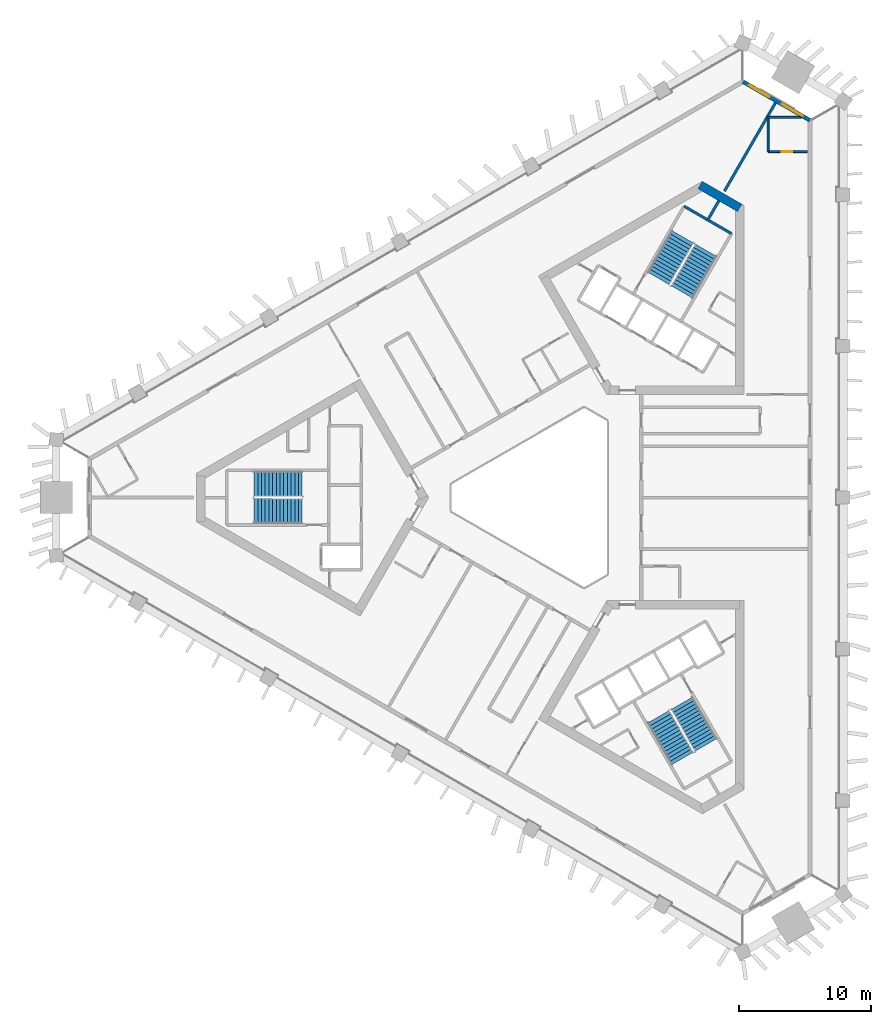
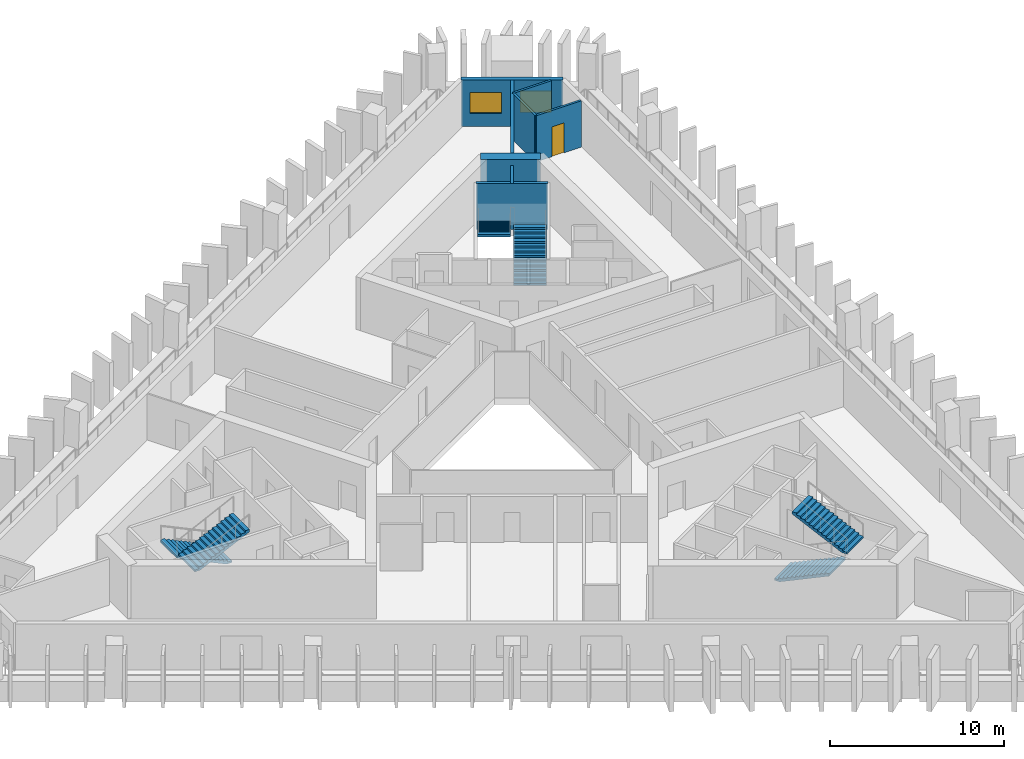
# One storey, part 6 of 10: 8 walls, 6 stair flights, 2 windows, 1 door, 3 openings, 3 elements without a shape of their own.
"""IFC4 building model written with IfcOpenShell, lengths in metres."""

from ifc_helpers import new_model, si_unit, direction, frame, frame_2d, origin, place, context, subcontext, project, spatial, polyline, rectangle, outline, extrude, material, layer, layer_set, type_object, element, fill, aggregate, save


model = new_model("IFC4")

# Units and contexts
model_context = context("Model", 3, precision=1e-05, world=origin(), true_north=direction((0.0, 1.0)))
body_context = subcontext(model_context, "Body", "Model", "MODEL_VIEW")
ifc_project = project(units=[si_unit("LENGTHUNIT", "METRE"), si_unit("AREAUNIT", "SQUARE_METRE"), si_unit("VOLUMEUNIT", "CUBIC_METRE"), si_unit("PLANEANGLEUNIT", "RADIAN"), si_unit("MASSUNIT", "GRAM", prefix="KILO")], contexts=[model_context])

# Site, building, storey
site_placement = place(None, origin())
site = spatial("IfcSite", under=ifc_project, at=site_placement, CompositionType="ELEMENT")
building_placement = place(site_placement, origin())
building = spatial("IfcBuilding", under=site, at=building_placement, Name="Jabali Bay Hotel Tower and Convention Centre", CompositionType="ELEMENT")
storey_placement = place(building_placement, frame((0.0, 0.0, 110.5)))
storey = spatial("IfcBuildingStorey", under=building, at=storey_placement, Name="L26", CompositionType="ELEMENT", Elevation=110.5)

# Walls
ifc_material_1 = material(Name="Concrete C40", Category="concrete")
ifc_layer_1 = layer(ifc_material_1, 0.199951171875)
ifc_layer_set_1 = layer_set([ifc_layer_1], Name="Concrete C40")
wall_type_1 = type_object("IfcWallType", Name="Core partition wall 200", PredefinedType="PARTITIONING", material=ifc_layer_set_1)
wall_1_placement = place(storey_placement, frame((87.090087890625, 100.9404296875, 0.0), z_axis=(0.0, 0.0, 1.0), x_axis=(0.499944938281, 0.866057191349, 0.0)))
element("IfcWall", 1, at=wall_1_placement, inside=storey, type_object=wall_type_1, Name="Core wall 1.5 L26", PredefinedType="PARTITIONING", context=body_context, shape_type="SweptSolid", body=[
    extrude(rectangle(XDim=1.773193359375, YDim=0.199951171875, at=frame_2d((0.88671875, 0.0))), origin(), (0.0, 0.0, 1.0), 3.25),
])
ifc_layer_2 = layer(ifc_material_1, 0.199951171875)
ifc_layer_set_2 = layer_set([ifc_layer_2], Name="Concrete C40")
wall_type_2 = type_object("IfcWallType", Name="Core stair wall 200", PredefinedType="SOLIDWALL", material=ifc_layer_set_2)
wall_2_placement = place(storey_placement, frame((88.93701171875, 99.989501953125, 0.0), z_axis=(0.0, 0.0, 1.0), x_axis=(-0.866004344652, 0.500036473714, 0.0)))
element("IfcWall", 2, at=wall_2_placement, inside=storey, type_object=wall_type_2, Name="Core wall 1.17 L26", PredefinedType="SOLIDWALL", context=body_context, shape_type="SweptSolid", body=[
    extrude(rectangle(XDim=4.150146484375, YDim=0.199951171875, at=frame_2d((2.0751953125, 0.0))), origin(), (0.0, 0.0, 1.0), 3.25),
])
ifc_material_2 = material(Name="Concrete C60", Category="concrete")
ifc_layer_3 = layer(ifc_material_2, 0.64990234375)
ifc_layer_set_3 = layer_set([ifc_layer_3], Name="Concrete C60")
wall_type_3 = type_object("IfcWallType", Name="Core wall 650", PredefinedType="SHEAR", material=ifc_layer_set_3)
wall_3_placement = place(storey_placement, frame((89.554931640625, 101.93994140625, 0.0), z_axis=(0.0, 0.0, 1.0), x_axis=(-0.866031550877, 0.499989352773, 0.0)))
element("IfcWall", 3, at=wall_3_placement, inside=storey, type_object=wall_type_3, Name="Core wall 2.3 L26", PredefinedType="SHEAR", context=body_context, shape_type="SweptSolid", body=[
    extrude(rectangle(XDim=3.45751953125, YDim=0.64990234375, at=frame_2d((1.728759765625, 0.0))), origin(), (0.0, 0.0, 1.0), 3.699951171875),
])

# Wall, openings, windows
ifc_layer_4 = layer(ifc_material_1, 0.300048828125)
ifc_layer_set_4 = layer_set([ifc_layer_4], Name="Concrete C40")
wall_type_4 = type_object("IfcWallType", Name="External wall 300", PredefinedType="SOLIDWALL", material=ifc_layer_set_4)
wall_4_placement = place(storey_placement, frame((89.810302734375, 111.500244140625, 0.0), z_axis=(0.0, 0.0, 1.0), x_axis=(0.866017340887, -0.500013965089, 0.0)))
wall_4 = element("IfcWall", 4, at=wall_4_placement, inside=storey, type_object=wall_type_4, Name="External wall north-east chamfer L26", PredefinedType="SOLIDWALL", context=body_context, shape_type="SweptSolid", body=[
    extrude(rectangle(XDim=5.847900390625, YDim=0.300048828125, at=frame_2d((2.923828125, 0.0))), origin(), (0.0, 0.0, 1.0), 3.25),
])
opening_1_placement = place(wall_4_placement, frame((3.3984375, 0.0, 0.89990234375)))
opening_1 = element("IfcOpeningElement", 5, at=opening_1_placement, cuts=wall_4, Name="Opening W1", PredefinedType="OPENING", context=body_context, shape_type="SweptSolid", body=[
    extrude(rectangle(XDim=1.800048828125, YDim=1.5, at=frame_2d((0.89990234375, 0.75))), frame((0.0, 0.16064453125, 0.0), z_axis=(0.0, -1.0, 0.0), x_axis=(1.0, 0.0, 0.0)), (0.0, 0.0, 1.0), 0.321044921875),
])
opening_2_placement = place(wall_4_placement, frame((0.519287109375, 0.0, 0.89990234375)))
opening_2 = element("IfcOpeningElement", 6, at=opening_2_placement, cuts=wall_4, Name="Opening W1", PredefinedType="OPENING", context=body_context, shape_type="SweptSolid", body=[
    extrude(rectangle(XDim=1.800048828125, YDim=1.5, at=frame_2d((0.89990234375, 0.75))), frame((0.0, 0.16064453125, 0.0), z_axis=(0.0, -1.0, 0.0), x_axis=(1.0, 0.0, 0.0)), (0.0, 0.0, 1.0), 0.321044921875),
])
ifc_material_3 = material(Name="Glass", Category="glass")
window_type = type_object("IfcWindowType", Name="Window 1800 x 1500", PartitioningType="SINGLE_PANEL", PredefinedType="WINDOW", material=ifc_material_3)
window_1_placement = place(opening_1_placement, origin())
window_1 = element("IfcWindow", 7, at=window_1_placement, inside=storey, type_object=window_type, Name="Window 2602", OverallHeight=1.5, OverallWidth=1.800048828125, PartitioningType="SINGLE_PANEL", PredefinedType="WINDOW", context=body_context, shape_type="SweptSolid", body=[
    extrude(rectangle(XDim=1.800048828125, YDim=1.5, at=frame_2d((0.89990234375, 0.75))), frame((0.0, 0.030029296875, 0.0), z_axis=(0.0, -1.0, 0.0), x_axis=(1.0, 0.0, 0.0)), (0.0, 0.0, 1.0), 0.06005859375),
])
fill(opening_1, window_1)
window_2_placement = place(opening_2_placement, origin())
window_2 = element("IfcWindow", 8, at=window_2_placement, inside=storey, type_object=window_type, Name="Window 2604", OverallHeight=1.5, OverallWidth=1.800048828125, PartitioningType="SINGLE_PANEL", PredefinedType="WINDOW", context=body_context, shape_type="SweptSolid", body=[
    extrude(rectangle(XDim=1.800048828125, YDim=1.5, at=frame_2d((0.89990234375, 0.75))), frame((0.0, 0.030029296875, 0.0), z_axis=(0.0, -1.0, 0.0), x_axis=(1.0, 0.0, 0.0)), (0.0, 0.0, 1.0), 0.06005859375),
])
fill(opening_2, window_2)

# Wall, opening, door
ifc_material_4 = material(Name="Plasterboard on steel stud", Category="steel")
ifc_layer_5 = layer(ifc_material_4, 0.14990234375)
ifc_layer_set_5 = layer_set([ifc_layer_5], Name="Plasterboard on steel stud")
wall_type_5 = type_object("IfcWallType", Name="Partition 150 wet", PredefinedType="PARTITIONING", material=ifc_layer_set_5)
wall_5_placement = place(storey_placement, frame((94.684814453125, 106.1943359375, 0.0), z_axis=(0.0, 0.0, 1.0), x_axis=(-1.0, 0.0, 0.0)))
wall_5 = element("IfcWall", 9, at=wall_5_placement, inside=storey, type_object=wall_type_5, Name="Partition P03 L26 011", PredefinedType="PARTITIONING", context=body_context, shape_type="SweptSolid", body=[
    extrude(rectangle(XDim=2.983154296875, YDim=0.14990234375, at=frame_2d((1.49169921875, 0.0))), origin(), (0.0, 0.0, 1.0), 3.25),
])
opening_3_placement = place(wall_5_placement, frame((1.13330078125, 0.0, 0.0)))
opening_3 = element("IfcOpeningElement", 10, at=opening_3_placement, cuts=wall_5, Name="Opening 2607", PredefinedType="OPENING", context=body_context, shape_type="SweptSolid", body=[
    extrude(rectangle(XDim=0.800048828125, YDim=2.10009765625, at=frame_2d((0.39990234375, 1.050048828125))), frame((0.0, 0.08544921875, 0.0), z_axis=(0.0, -1.0, 0.0), x_axis=(1.0, 0.0, 0.0)), (0.0, 0.0, 1.0), 0.1708984375),
])
ifc_material_5 = material(Name="Timber", Category="wood")
door_type = type_object("IfcDoorType", Name="En-suite door 800 x 2100", OperationType="NOTDEFINED", PredefinedType="NOTDEFINED", material=ifc_material_5)
door_placement = place(opening_3_placement, origin())
door = element("IfcDoor", 11, at=door_placement, inside=storey, type_object=door_type, Name="Door 2607", OperationType="SINGLE_SWING_LEFT", OverallHeight=2.10009765625, OverallWidth=0.800048828125, PredefinedType="NOTDEFINED", context=body_context, shape_type="SweptSolid", body=[
    extrude(rectangle(XDim=0.800048828125, YDim=2.10009765625, at=frame_2d((0.39990234375, 1.050048828125))), frame((0.0, 0.02490234375, 0.0), z_axis=(0.0, -1.0, 0.0), x_axis=(1.0, 0.0, 0.0)), (0.0, 0.0, 1.0), 0.050048828125),
])
fill(opening_3, door)

# Walls
wall_6_placement = place(storey_placement, frame((91.70166015625, 106.1943359375, 0.0), z_axis=(0.0, 0.0, 1.0), x_axis=(0.0, 1.0, 0.0)))
element("IfcWall", 12, at=wall_6_placement, inside=storey, type_object=wall_type_5, Name="Partition P03 L26 012", PredefinedType="PARTITIONING", context=body_context, shape_type="SweptSolid", body=[
    extrude(rectangle(XDim=2.599853515625, YDim=0.14990234375, at=frame_2d((1.2998046875, 0.0))), origin(), (0.0, 0.0, 1.0), 3.25),
])
wall_7_placement = place(storey_placement, frame((91.70166015625, 108.794189453125, 0.0), z_axis=(0.0, 0.0, 1.0), x_axis=(1.0, 0.0, 0.0)))
element("IfcWall", 13, at=wall_7_placement, inside=storey, type_object=wall_type_5, Name="Partition P03 L26 013", PredefinedType="PARTITIONING", context=body_context, shape_type="SweptSolid", body=[
    extrude(rectangle(XDim=2.49755859375, YDim=0.14990234375, at=frame_2d((1.248779296875, 0.0))), origin(), (0.0, 0.0, 1.0), 3.25),
])
ifc_layer_6 = layer(ifc_material_4, 0.199951171875)
ifc_layer_set_6 = layer_set([ifc_layer_6], Name="Plasterboard on steel stud")
wall_type_6 = type_object("IfcWallType", Name="Partition 200 party", PredefinedType="PARTITIONING", material=ifc_layer_set_6)
wall_8_placement = place(storey_placement, frame((92.268798828125, 109.90869140625, 0.0), z_axis=(0.0, 0.0, 1.0), x_axis=(-0.499985685157, -0.866033668305, 0.0)))
element("IfcWall", 14, at=wall_8_placement, inside=storey, type_object=wall_type_6, Name="Partition P01 L26 014", PredefinedType="PARTITIONING", context=body_context, shape_type="SweptSolid", body=[
    extrude(rectangle(XDim=7.734130859375, YDim=0.199951171875, at=frame_2d((3.8671875, 0.0))), origin(), (0.0, 0.0, 1.0), 3.25),
])

# Stair, stair flights
stair_type = type_object("IfcStairType", Name="Exit stair 1900", PredefinedType="HALF_TURN_STAIR", material=ifc_material_1)
stair_1_placement = place(storey_placement, origin())
stair_1 = element("IfcStair", 15, at=stair_1_placement, inside=storey, type_object=stair_type, Name="L26 Exit Stair 1", PredefinedType="HALF_TURN_STAIR")
stair_flight_type = type_object("IfcStairFlightType", Name="Stair flight concrete 150", PredefinedType="STRAIGHT", material=ifc_material_1)
stair_flight_1_placement = place(storey_placement, frame((56.419921875, 81.02490234375, 0.0), z_axis=(0.0, 0.0, 1.0), x_axis=(-1.0, 0.0, 0.0)))
stair_flight_1 = element("IfcStairFlight", 16, at=stair_flight_1_placement, type_object=stair_flight_type, Name="ST1 flight 1", NumberOfRisers=14, NumberOfTreads=13, PredefinedType="STRAIGHT", RiserHeight=0.132142857, TreadLength=0.28, context=body_context, shape_type="SweptSolid", body=[
    extrude(outline(polyline([(0.0, 0.0), (0.0, 0.132080078125), (0.280029296875, 0.132080078125), (0.280029296875, 0.264404296875), (0.56005859375, 0.264404296875), (0.56005859375, 0.396484375), (0.840087890625, 0.396484375), (0.840087890625, 0.528564453125), (1.1201171875, 0.528564453125), (1.1201171875, 0.66064453125), (1.39990234375, 0.66064453125), (1.39990234375, 0.79296875), (1.679931640625, 0.79296875), (1.679931640625, 0.925048828125), (1.9599609375, 0.925048828125), (1.9599609375, 1.05712890625), (2.239990234375, 1.05712890625), (2.239990234375, 1.189208984375), (2.52001953125, 1.189208984375), (2.52001953125, 1.321533203125), (2.800048828125, 1.321533203125), (2.800048828125, 1.45361328125), (3.080078125, 1.45361328125), (3.080078125, 1.585693359375), (3.360107421875, 1.585693359375), (3.360107421875, 1.7177734375), (3.639892578125, 1.7177734375), (3.639892578125, 1.85009765625), (3.639892578125, 1.552001953125), (0.351318359375, 0.0), (0.0, 0.0)])), frame((0.0, 0.949951171875, 0.0), z_axis=(0.0, -1.0, 0.0), x_axis=(1.0, 0.0, 0.0)), (0.0, 0.0, 1.0), 1.89990234375),
])
stair_flight_2_placement = place(storey_placement, frame((52.780029296875, 78.97509765625, 1.85009765625), z_axis=(0.0, 0.0, 1.0), x_axis=(1.0, 0.0, 0.0)))
stair_flight_2 = element("IfcStairFlight", 17, at=stair_flight_2_placement, type_object=stair_flight_type, Name="ST1 flight 2", NumberOfRisers=14, NumberOfTreads=13, PredefinedType="STRAIGHT", RiserHeight=0.132142857, TreadLength=0.28, context=body_context, shape_type="SweptSolid", body=[
    extrude(outline(polyline([(0.0, 0.0), (0.0, 0.132080078125), (0.280029296875, 0.132080078125), (0.280029296875, 0.264404296875), (0.56005859375, 0.264404296875), (0.56005859375, 0.396484375), (0.840087890625, 0.396484375), (0.840087890625, 0.528564453125), (1.1201171875, 0.528564453125), (1.1201171875, 0.66064453125), (1.39990234375, 0.66064453125), (1.39990234375, 0.79296875), (1.679931640625, 0.79296875), (1.679931640625, 0.925048828125), (1.9599609375, 0.925048828125), (1.9599609375, 1.05712890625), (2.239990234375, 1.05712890625), (2.239990234375, 1.189208984375), (2.52001953125, 1.189208984375), (2.52001953125, 1.321533203125), (2.800048828125, 1.321533203125), (2.800048828125, 1.45361328125), (3.080078125, 1.45361328125), (3.080078125, 1.585693359375), (3.360107421875, 1.585693359375), (3.360107421875, 1.7177734375), (3.639892578125, 1.7177734375), (3.639892578125, 1.85009765625), (3.639892578125, 1.552001953125), (0.351318359375, 0.0), (0.0, 0.0)])), frame((0.0, 0.949951171875, 0.0), z_axis=(0.0, -1.0, 0.0), x_axis=(1.0, 0.0, 0.0)), (0.0, 0.0, 1.0), 1.89990234375),
])
aggregate(stair_1, [stair_flight_1, stair_flight_2])

stair_2_placement = place(storey_placement, origin())
stair_2 = element("IfcStair", 18, at=stair_2_placement, inside=storey, type_object=stair_type, Name="L26 Exit Stair 2", PredefinedType="HALF_TURN_STAIR")
stair_flight_3_placement = place(storey_placement, frame((85.177734375, 95.578369140625, 0.0), z_axis=(0.0, 0.0, 1.0), x_axis=(0.5, 0.866025403784, 0.0)))
stair_flight_3 = element("IfcStairFlight", 19, at=stair_flight_3_placement, type_object=stair_flight_type, Name="ST2 flight 1", NumberOfRisers=14, NumberOfTreads=13, PredefinedType="STRAIGHT", RiserHeight=0.132142857, TreadLength=0.28, context=body_context, shape_type="SweptSolid", body=[
    extrude(outline(polyline([(0.0, 0.0), (0.0, 0.132080078125), (0.280029296875, 0.132080078125), (0.280029296875, 0.264404296875), (0.56005859375, 0.264404296875), (0.56005859375, 0.396484375), (0.840087890625, 0.396484375), (0.840087890625, 0.528564453125), (1.1201171875, 0.528564453125), (1.1201171875, 0.66064453125), (1.39990234375, 0.66064453125), (1.39990234375, 0.79296875), (1.679931640625, 0.79296875), (1.679931640625, 0.925048828125), (1.9599609375, 0.925048828125), (1.9599609375, 1.05712890625), (2.239990234375, 1.05712890625), (2.239990234375, 1.189208984375), (2.52001953125, 1.189208984375), (2.52001953125, 1.321533203125), (2.800048828125, 1.321533203125), (2.800048828125, 1.45361328125), (3.080078125, 1.45361328125), (3.080078125, 1.585693359375), (3.360107421875, 1.585693359375), (3.360107421875, 1.7177734375), (3.639892578125, 1.7177734375), (3.639892578125, 1.85009765625), (3.639892578125, 1.552001953125), (0.351318359375, 0.0), (0.0, 0.0)])), frame((0.0, 0.949951171875, 0.0), z_axis=(0.0, -1.0, 0.0), x_axis=(1.0, 0.0, 0.0)), (0.0, 0.0, 1.0), 1.89990234375),
])
stair_flight_4_placement = place(storey_placement, frame((85.222412109375, 99.755615234375, 1.85009765625), z_axis=(0.0, 0.0, 1.0), x_axis=(-0.5, -0.866025403784, 0.0)))
stair_flight_4 = element("IfcStairFlight", 20, at=stair_flight_4_placement, type_object=stair_flight_type, Name="ST2 flight 2", NumberOfRisers=14, NumberOfTreads=13, PredefinedType="STRAIGHT", RiserHeight=0.132142857, TreadLength=0.28, context=body_context, shape_type="SweptSolid", body=[
    extrude(outline(polyline([(0.0, 0.0), (0.0, 0.132080078125), (0.280029296875, 0.132080078125), (0.280029296875, 0.264404296875), (0.56005859375, 0.264404296875), (0.56005859375, 0.396484375), (0.840087890625, 0.396484375), (0.840087890625, 0.528564453125), (1.1201171875, 0.528564453125), (1.1201171875, 0.66064453125), (1.39990234375, 0.66064453125), (1.39990234375, 0.79296875), (1.679931640625, 0.79296875), (1.679931640625, 0.925048828125), (1.9599609375, 0.925048828125), (1.9599609375, 1.05712890625), (2.239990234375, 1.05712890625), (2.239990234375, 1.189208984375), (2.52001953125, 1.189208984375), (2.52001953125, 1.321533203125), (2.800048828125, 1.321533203125), (2.800048828125, 1.45361328125), (3.080078125, 1.45361328125), (3.080078125, 1.585693359375), (3.360107421875, 1.585693359375), (3.360107421875, 1.7177734375), (3.639892578125, 1.7177734375), (3.639892578125, 1.85009765625), (3.639892578125, 1.552001953125), (0.351318359375, 0.0), (0.0, 0.0)])), frame((0.0, 0.949951171875, 0.0), z_axis=(0.0, -1.0, 0.0), x_axis=(1.0, 0.0, 0.0)), (0.0, 0.0, 1.0), 1.89990234375),
])
aggregate(stair_2, [stair_flight_3, stair_flight_4])

stair_3_placement = place(storey_placement, origin())
stair_3 = element("IfcStair", 21, at=stair_3_placement, inside=storey, type_object=stair_type, Name="L26 Exit Stair 3", PredefinedType="HALF_TURN_STAIR")
stair_flight_5_placement = place(storey_placement, frame((83.40234375, 63.396728515625, 0.0), z_axis=(0.0, 0.0, 1.0), x_axis=(0.5, -0.866025403784, 0.0)))
stair_flight_5 = element("IfcStairFlight", 22, at=stair_flight_5_placement, type_object=stair_flight_type, Name="ST3 flight 1", NumberOfRisers=14, NumberOfTreads=13, PredefinedType="STRAIGHT", RiserHeight=0.132142857, TreadLength=0.28, context=body_context, shape_type="SweptSolid", body=[
    extrude(outline(polyline([(0.0, 0.0), (0.0, 0.132080078125), (0.280029296875, 0.132080078125), (0.280029296875, 0.264404296875), (0.56005859375, 0.264404296875), (0.56005859375, 0.396484375), (0.840087890625, 0.396484375), (0.840087890625, 0.528564453125), (1.1201171875, 0.528564453125), (1.1201171875, 0.66064453125), (1.39990234375, 0.66064453125), (1.39990234375, 0.79296875), (1.679931640625, 0.79296875), (1.679931640625, 0.925048828125), (1.9599609375, 0.925048828125), (1.9599609375, 1.05712890625), (2.239990234375, 1.05712890625), (2.239990234375, 1.189208984375), (2.52001953125, 1.189208984375), (2.52001953125, 1.321533203125), (2.800048828125, 1.321533203125), (2.800048828125, 1.45361328125), (3.080078125, 1.45361328125), (3.080078125, 1.585693359375), (3.360107421875, 1.585693359375), (3.360107421875, 1.7177734375), (3.639892578125, 1.7177734375), (3.639892578125, 1.85009765625), (3.639892578125, 1.552001953125), (0.351318359375, 0.0), (0.0, 0.0)])), frame((0.0, 0.949951171875, 0.0), z_axis=(0.0, -1.0, 0.0), x_axis=(1.0, 0.0, 0.0)), (0.0, 0.0, 1.0), 1.89990234375),
])
stair_flight_6_placement = place(storey_placement, frame((86.99755859375, 61.26953125, 1.85009765625), z_axis=(0.0, 0.0, 1.0), x_axis=(-0.5, 0.866025403784, 0.0)))
stair_flight_6 = element("IfcStairFlight", 23, at=stair_flight_6_placement, type_object=stair_flight_type, Name="ST3 flight 2", NumberOfRisers=14, NumberOfTreads=13, PredefinedType="STRAIGHT", RiserHeight=0.132142857, TreadLength=0.28, context=body_context, shape_type="SweptSolid", body=[
    extrude(outline(polyline([(0.0, 0.0), (0.0, 0.132080078125), (0.280029296875, 0.132080078125), (0.280029296875, 0.264404296875), (0.56005859375, 0.264404296875), (0.56005859375, 0.396484375), (0.840087890625, 0.396484375), (0.840087890625, 0.528564453125), (1.1201171875, 0.528564453125), (1.1201171875, 0.66064453125), (1.39990234375, 0.66064453125), (1.39990234375, 0.79296875), (1.679931640625, 0.79296875), (1.679931640625, 0.925048828125), (1.9599609375, 0.925048828125), (1.9599609375, 1.05712890625), (2.239990234375, 1.05712890625), (2.239990234375, 1.189208984375), (2.52001953125, 1.189208984375), (2.52001953125, 1.321533203125), (2.800048828125, 1.321533203125), (2.800048828125, 1.45361328125), (3.080078125, 1.45361328125), (3.080078125, 1.585693359375), (3.360107421875, 1.585693359375), (3.360107421875, 1.7177734375), (3.639892578125, 1.7177734375), (3.639892578125, 1.85009765625), (3.639892578125, 1.552001953125), (0.351318359375, 0.0), (0.0, 0.0)])), frame((0.0, 0.949951171875, 0.0), z_axis=(0.0, -1.0, 0.0), x_axis=(1.0, 0.0, 0.0)), (0.0, 0.0, 1.0), 1.89990234375),
])
aggregate(stair_3, [stair_flight_5, stair_flight_6])

save(model, "model.ifc")
